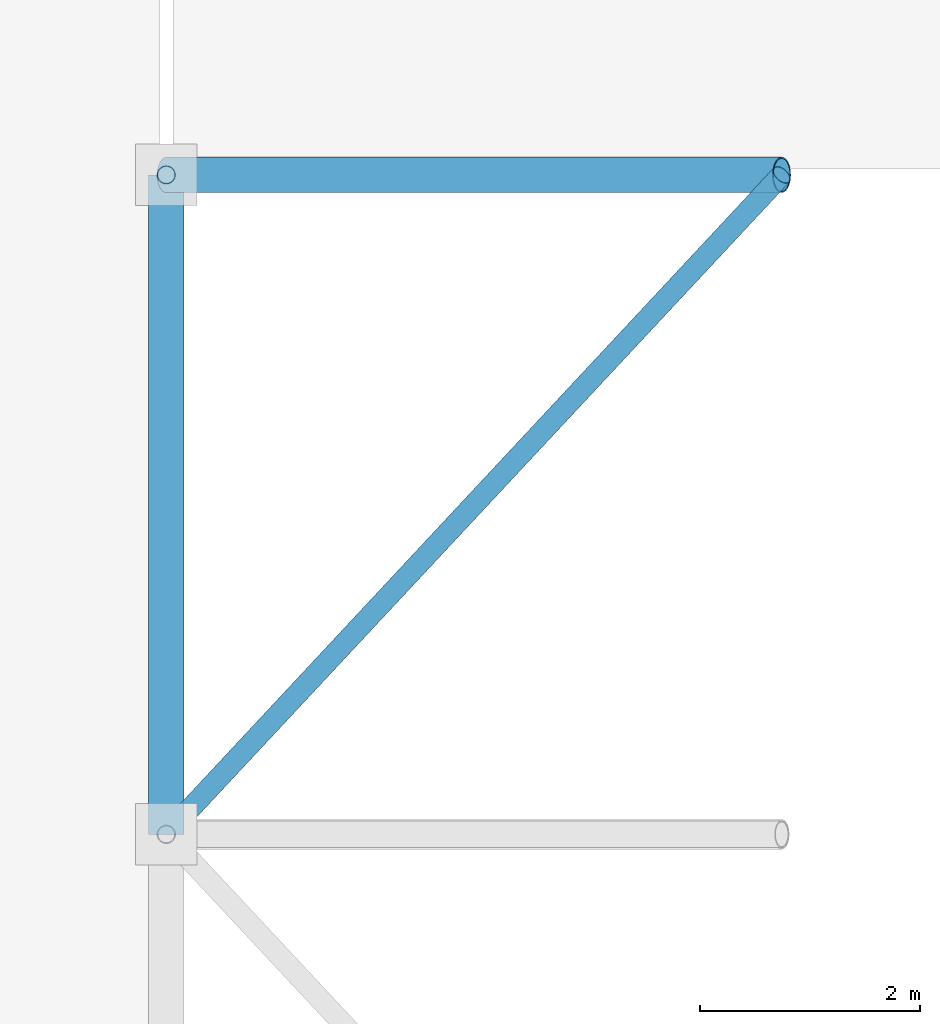
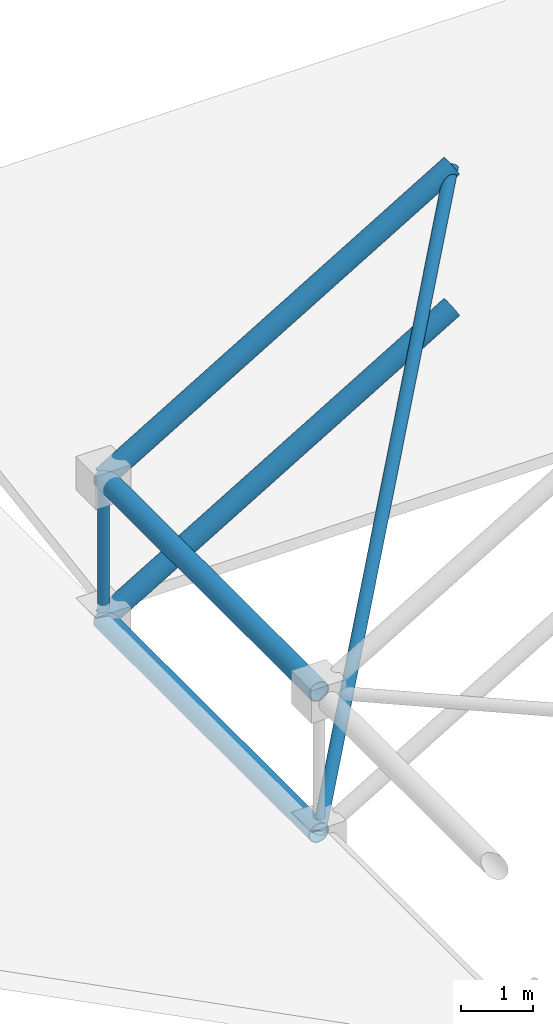
# One storey, part 94 of 148: 6 members.
"""IFC4 building model written with IfcOpenShell, lengths in metres."""

import ifcopenshell
import ifcopenshell.guid

model = None  # the IFC model being written
_history = None  # IfcOwnerHistory: only IFC2X3 demands one
_inside = {}  # id of a spatial element -> (the spatial element, [elements in it])
_under = {}  # id of a project, library or spatial element -> (it, [spatial elements below it])
_declared = {}  # id of a project -> (the project, [libraries it declares])
_typed = {}  # id of a type object -> (the type object, [elements of that type])
_made_of = {}  # id of a material, layer set ... -> (it, [elements and type objects made of it])


def new_model(schema):
    """Start an empty IFC model of exactly this schema.

    Asked for "IFC4X3", IfcOpenShell would pick the latest addendum, in which some entities
    have other attributes; the version numbers below select the first issue.
    IFC2X3 requires an IfcOwnerHistory on every rooted entity: one is made here for all.
    """
    global model, _history
    if schema == "IFC4X3":
        model = ifcopenshell.file(schema_version=(4, 3, 0, 0))
    else:
        model = ifcopenshell.file(schema=schema)
    _inside.clear()
    _under.clear()
    _declared.clear()
    _typed.clear()
    _made_of.clear()
    _history = None
    if model.schema == "IFC2X3":
        org = make("IfcOrganization", Name="unknown")
        user = make(
            "IfcPersonAndOrganization",
            ThePerson=make("IfcPerson", FamilyName="unknown"),
            TheOrganization=org,
        )
        app = make(
            "IfcApplication",
            ApplicationDeveloper=org,
            Version="unknown",
            ApplicationFullName="unknown",
            ApplicationIdentifier="unknown",
        )
        _history = make(
            "IfcOwnerHistory",
            OwningUser=user,
            OwningApplication=app,
            ChangeAction="ADDED",
            CreationDate=0,
        )
    return model


def make(cls, **values):
    """One entity of the class cls with the attributes given. An attribute that is None is left unset."""
    return model.create_entity(
        cls, **{name: value for name, value in values.items() if value is not None}
    )


def rooted(cls, **values):
    """An entity with a GlobalId (a new one), such as an element, a storey or a relation."""
    return make(cls, GlobalId=ifcopenshell.guid.new(), OwnerHistory=_history, **values)


def si_unit(unit_type, name, prefix=None):
    """IfcSIUnit, for example si_unit("LENGTHUNIT", "METRE", prefix="MILLI")."""
    return make("IfcSIUnit", UnitType=unit_type, Prefix=prefix, Name=name)


def assignment(units):
    """IfcUnitAssignment: the units of a project."""
    return None if units is None else make("IfcUnitAssignment", Units=units)


def point(xyz):
    """IfcCartesianPoint."""
    return None if xyz is None else make("IfcCartesianPoint", Coordinates=xyz)


def direction(xyz):
    """IfcDirection."""
    return None if xyz is None else make("IfcDirection", DirectionRatios=xyz)


def frame(location, z_axis=None, x_axis=None):
    """IfcAxis2Placement3D, a coordinate frame: its origin and axes. An axis left out is left unset."""
    return make(
        "IfcAxis2Placement3D",
        Location=point(location),
        Axis=direction(z_axis),
        RefDirection=direction(x_axis),
    )


def frame_2d(location, x_axis=None):
    """IfcAxis2Placement2D, a coordinate frame in the plane: its origin and x axis."""
    return make(
        "IfcAxis2Placement2D", Location=point(location), RefDirection=direction(x_axis)
    )


def origin():
    """The frame at (0, 0, 0) with its axes left unset."""
    return frame((0.0, 0.0, 0.0))


def origin_2d():
    """The frame at (0, 0) in the plane with its x axis left unset."""
    return frame_2d((0.0, 0.0))


def place(relative_to, where):
    """IfcLocalPlacement: puts the frame where relative to a parent placement (None: the world)."""
    return make(
        "IfcLocalPlacement", PlacementRelTo=relative_to, RelativePlacement=where
    )


def context(
    kind, dimensions, precision=None, world=None, true_north=None, identifier=None
):
    """IfcGeometricRepresentationContext, for example the 3D "Model" context."""
    return make(
        "IfcGeometricRepresentationContext",
        ContextIdentifier=identifier,
        ContextType=kind,
        CoordinateSpaceDimension=dimensions,
        Precision=precision,
        WorldCoordinateSystem=world,
        TrueNorth=true_north,
    )


def subcontext(parent, identifier, kind, view, scale=None):
    """IfcGeometricRepresentationSubContext, for example "Body" below "Model"."""
    return make(
        "IfcGeometricRepresentationSubContext",
        ContextIdentifier=identifier,
        ContextType=kind,
        ParentContext=parent,
        TargetScale=scale,
        TargetView=view,
    )


def project(units=None, contexts=None):
    """IfcProject with its units and contexts."""
    return rooted(
        "IfcProject",
        Name="project",
        RepresentationContexts=contexts,
        UnitsInContext=assignment(units),
    )


def spatial(cls, under=None, at=None, **own):
    """A site, building, storey or space (cls), placed at a placement, below another one or the project."""
    s = rooted(cls, ObjectPlacement=at, **own)
    if under is not None:
        _under.setdefault(under.id(), (under, []))[1].append(s)
    return s


def profile(cls, at=None, kind="AREA", **sizes):
    """A parametric profile (cls). Its sizes go by their IFC names, for example OverallWidth=200.0."""
    return make(cls, ProfileType=kind, Position=at, **sizes)


def hollow_circle(**sizes):
    """IfcCircleHollowProfileDef."""
    return profile("IfcCircleHollowProfileDef", **sizes)


def extrude(swept, where, along, depth):
    """IfcExtrudedAreaSolid: the profile swept, set in the frame where, extruded along a direction by depth."""
    return make(
        "IfcExtrudedAreaSolid",
        SweptArea=swept,
        Position=where,
        ExtrudedDirection=direction(along),
        Depth=depth,
    )


def shape(context_of_items, identifier, shape_type, items):
    """IfcShapeRepresentation: the items that make up one representation, for example the "Body"."""
    return make(
        "IfcShapeRepresentation",
        ContextOfItems=context_of_items,
        RepresentationIdentifier=identifier,
        RepresentationType=shape_type,
        Items=items,
    )


def material(Name=None, Category=None):
    """IfcMaterial."""
    return make("IfcMaterial", Name=Name, Category=Category)


def material_profile(
    of_material, cross_section, Name=None, Category=None, Priority=None
):
    """IfcMaterialProfile: a cross section and its material."""
    return make(
        "IfcMaterialProfile",
        Name=Name,
        Material=of_material,
        Profile=cross_section,
        Priority=Priority,
        Category=Category,
    )


def profile_set(profiles, Name=None, composite=None):
    """IfcMaterialProfileSet."""
    return make(
        "IfcMaterialProfileSet",
        Name=Name,
        MaterialProfiles=profiles,
        CompositeProfile=composite,
    )


def made_of(thing, what):
    """Note that an element or type object is made of a material, layer set ...; save() writes the relation."""
    if what is not None:
        _made_of.setdefault(what.id(), (what, []))[1].append(thing)
    return thing


def type_object(cls, material=None, **own):
    """A type object (cls), such as IfcWallType, which elements share."""
    return made_of(rooted(cls, **own), material)


def element(
    cls,
    number,
    at=None,
    inside=None,
    cuts=None,
    type_object=None,
    material=None,
    context=None,
    identifier="Body",
    shape_type=None,
    held_by="IfcProductDefinitionShape",
    body=None,
    shapes=None,
    **own,
):
    """One element of the class cls, such as IfcWall. Its Tag is "e" and its number.

    at: its placement. inside: the storey or other place that contains it. cuts: it is an
    opening in that element (IfcRelVoidsElement). A single representation is given by context,
    identifier, shape_type and body (its items); several are given by shapes. held_by: the class
    of the entity that holds the representations. save() writes the other relations.
    """
    e = rooted(cls, Tag="e%d" % number, ObjectPlacement=at, **own)
    if body is not None:
        shapes = [shape(context, identifier, shape_type, body)]
    if shapes is not None:
        e.Representation = make(held_by, Representations=shapes)
    if inside is not None:
        _inside.setdefault(inside.id(), (inside, []))[1].append(e)
    if cuts is not None:
        rooted(
            "IfcRelVoidsElement", RelatingBuildingElement=cuts, RelatedOpeningElement=e
        )
    if type_object is not None:
        _typed.setdefault(type_object.id(), (type_object, []))[1].append(e)
    return made_of(e, material)


def aggregate(whole, parts):
    """IfcRelAggregates: a whole, such as a stair, and the parts it consists of."""
    return rooted("IfcRelAggregates", RelatingObject=whole, RelatedObjects=parts)


def save(model, path):
    """Write the relations noted so far, then the file.

    IfcRelAggregates (storeys below a building ...), IfcRelContainedInSpatialStructure (elements
    in a storey), IfcRelDefinesByType, IfcRelAssociatesMaterial and IfcRelDeclares: one each for
    every whole, place, type object, material and project.
    """
    for whole, parts in _under.values():
        aggregate(whole, parts)
    for where, things in _inside.values():
        rooted(
            "IfcRelContainedInSpatialStructure",
            RelatedElements=things,
            RelatingStructure=where,
        )
    for kind, things in _typed.values():
        rooted("IfcRelDefinesByType", RelatedObjects=things, RelatingType=kind)
    for what, things in _made_of.values():
        rooted("IfcRelAssociatesMaterial", RelatedObjects=things, RelatingMaterial=what)
    for by, libraries in _declared.values():
        rooted("IfcRelDeclares", RelatingContext=by, RelatedDefinitions=libraries)
    model.write(path)


model = new_model("IFC4")

# Units and contexts
model_context = context("Model", 3, precision=1e-05, world=origin(), true_north=direction((0.0, 1.0)))
body_context = subcontext(model_context, "Body", "Model", "MODEL_VIEW")
ifc_project = project(units=[si_unit("LENGTHUNIT", "METRE"), si_unit("AREAUNIT", "SQUARE_METRE"), si_unit("VOLUMEUNIT", "CUBIC_METRE"), si_unit("PLANEANGLEUNIT", "RADIAN"), si_unit("MASSUNIT", "GRAM", prefix="KILO")], contexts=[model_context])

# Site, building, storey
site_placement = place(None, origin())
site = spatial("IfcSite", under=ifc_project, at=site_placement, CompositionType="ELEMENT")
building_placement = place(site_placement, origin())
building = spatial("IfcBuilding", under=site, at=building_placement, Name="Trelvath General Hospital", CompositionType="ELEMENT")
storey_placement = place(building_placement, frame((0.0, 0.0, 12.89990234375)))
storey = spatial("IfcBuildingStorey", under=building, at=storey_placement, Name="L03", CompositionType="ELEMENT", Elevation=12.89990234375)

# Members
ifc_material_1 = material(Name="Steel S355", Category="steel")
ifc_material_profile_1 = material_profile(ifc_material_1, hollow_circle(Radius=0.096923828125, WallThickness=0.008056640625, at=origin_2d()), Name="CHS193.7x8.0")
ifc_profile_set_1 = profile_set([ifc_material_profile_1], Name="Steel S355")
member_type_1 = type_object("IfcMemberType", Name="SpaceFrameDiagHeavy CHS193", PredefinedType="BRACE", material=ifc_profile_set_1)
member_1_placement = place(storey_placement, frame((142.800048828125, 61.199951171875, 0.0), z_axis=(0.559341871551, 0.599310539095, 0.572681018071), x_axis=(-0.731064171106, 0.682308711453, 0.0)))
element("IfcMember", 1, at=member_1_placement, inside=storey, type_object=member_type_1, Name="Space Frame Web Diagonal A 1-7", PredefinedType="BRACE", context=body_context, shape_type="SweptSolid", body=[
    extrude(hollow_circle(Radius=0.096923828125, WallThickness=0.008056640625, at=origin_2d()), origin(), (0.0, 0.0, 1.0), 10.011474609375),
])
ifc_material_2 = material(Name="Steel S355", Category="steel")
ifc_material_profile_2 = material_profile(ifc_material_2, hollow_circle(Radius=0.084228515625, WallThickness=0.008056640625, at=origin_2d()), Name="CHS168.3x8.0")
ifc_profile_set_2 = profile_set([ifc_material_profile_2], Name="Steel S355")
member_type_2 = type_object("IfcMemberType", Name="SpaceFrameDiagStd CHS168", PredefinedType="BRACE", material=ifc_profile_set_2)
member_2_placement = place(storey_placement, frame((142.800048828125, 67.199951171875, 0.0), z_axis=(0.0, 0.0, 1.0), x_axis=(1.0, 0.0, 0.0)))
element("IfcMember", 2, at=member_2_placement, inside=storey, type_object=member_type_2, Name="Space Frame Web Post 1-8", PredefinedType="BRACE", context=body_context, shape_type="SweptSolid", body=[
    extrude(hollow_circle(Radius=0.084228515625, WallThickness=0.008056640625, at=origin_2d()), origin(), (0.0, 0.0, 1.0), 2.400146484375),
])
ifc_material_3 = material(Name="Steel S355", Category="steel")
ifc_material_profile_3 = material_profile(ifc_material_3, hollow_circle(Radius=0.161865234375, WallThickness=0.012451171875, at=origin_2d()), Name="CHS323.9x12.5")
ifc_profile_set_3 = profile_set([ifc_material_profile_3], Name="Steel S355")
member_type_3 = type_object("IfcMemberType", Name="SpaceFrameEdgeChord CHS323", PredefinedType="CHORD", material=ifc_profile_set_3)
for number, where, z_axis, x_axis, name in (
    (3, (142.800048828125, 61.199951171875, 0.0), (0.0, 1.0, 0.0), (-1.0, 0.0, 0.0), "Space Frame Bottom Chord Y 1-7"),
    (4, (142.800048828125, 61.199951171875, 2.400146484375), (0.0, 1.0, 0.0), (-1.0, 0.0, 0.0), "Space Frame Top Chord Y 1-7"),
):
    element("IfcMember", number, at=place(storey_placement, frame(where, z_axis=z_axis, x_axis=x_axis)), inside=storey, type_object=member_type_3, Name=name, PredefinedType="CHORD", context=body_context, shape_type="SweptSolid", body=[
        extrude(hollow_circle(Radius=0.161865234375, WallThickness=0.012451171875, at=origin_2d()), origin(), (0.0, 0.0, 1.0), 6.0),
    ])
for number, where, z_axis, x_axis, name in (
    (5, (142.800048828125, 67.199951171875, 0.0), (0.859276026628, 0.0, 0.511512179779), (0.0, 1.0, 0.0), "Space Frame Bottom Chord X 1-8"),
    (6, (142.800048828125, 67.199951171875, 2.400146484375), (0.859292492371, 0.0, 0.511484518392), (0.0, 1.0, 0.0), "Space Frame Top Chord X 1-8"),
):
    element("IfcMember", number, at=place(storey_placement, frame(where, z_axis=z_axis, x_axis=x_axis)), inside=storey, type_object=member_type_3, Name=name, PredefinedType="CHORD", context=body_context, shape_type="SweptSolid", body=[
        extrude(hollow_circle(Radius=0.161865234375, WallThickness=0.012451171875, at=origin_2d()), origin(), (0.0, 0.0, 1.0), 6.516845703125),
    ])

save(model, "model.ifc")
